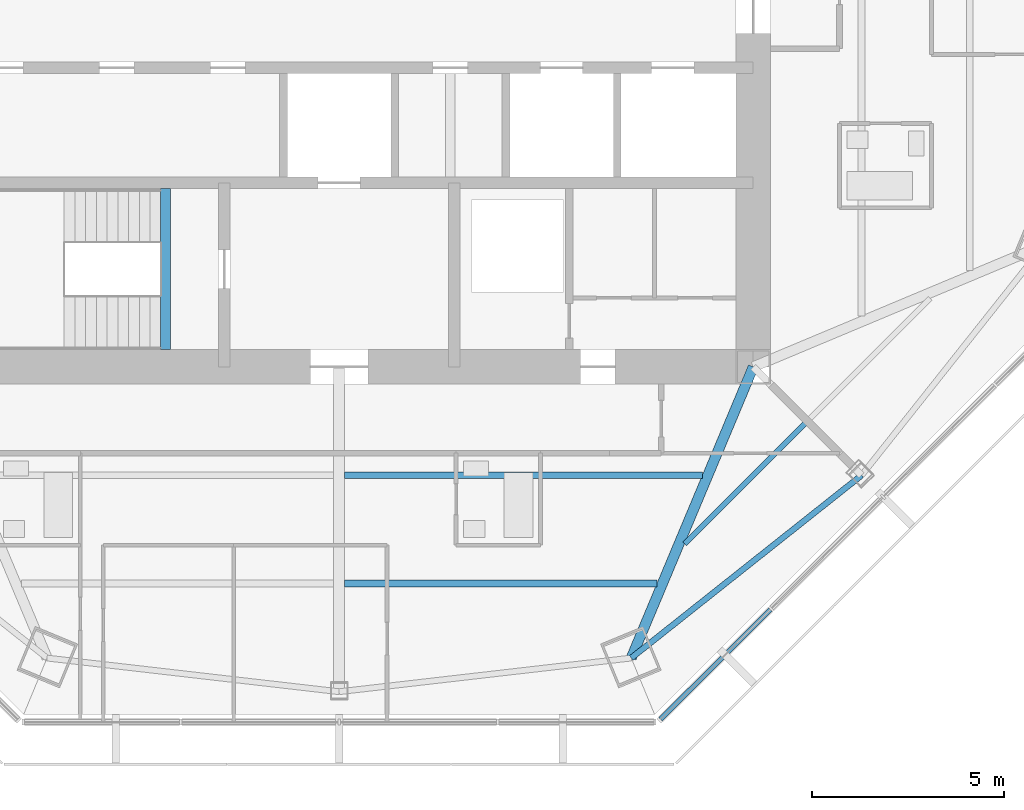
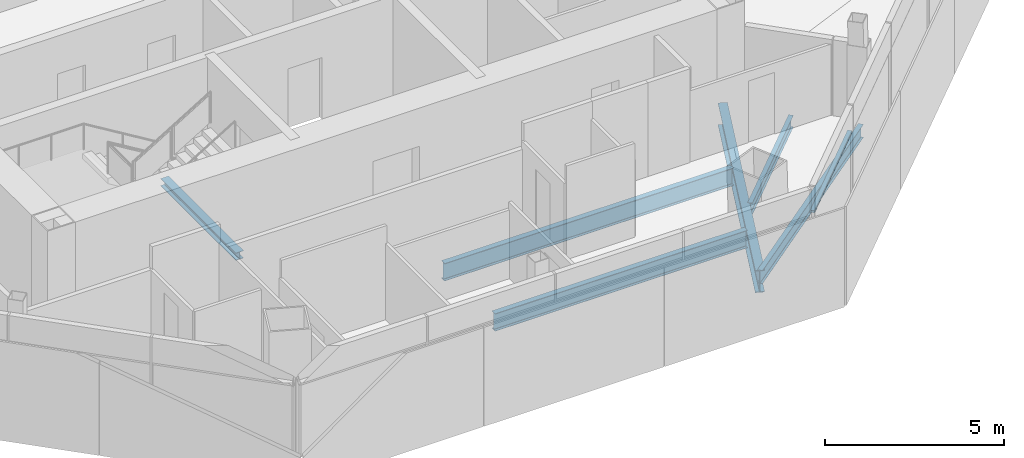
# One storey, part 3 of 15: 6 beams, 1 member, 1 element without a shape of its own.
"""IFC4 building model written with IfcOpenShell, lengths in metres."""

from ifc_helpers import new_model, si_unit, direction, frame, origin, origin_2d, place, context, subcontext, project, spatial, rectangle, i_section, extrude, source, transform, mapped, material, material_profile, profile_set, type_object, type_shapes, element, aggregate, save


model = new_model("IFC4")

# Units and contexts
model_context = context("Model", 3, precision=1e-05, world=origin(), true_north=direction((0.0, 1.0)))
body_context = subcontext(model_context, "Body", "Model", "MODEL_VIEW")
ifc_project = project(units=[si_unit("LENGTHUNIT", "METRE"), si_unit("AREAUNIT", "SQUARE_METRE"), si_unit("VOLUMEUNIT", "CUBIC_METRE"), si_unit("PLANEANGLEUNIT", "RADIAN"), si_unit("MASSUNIT", "GRAM", prefix="KILO")], contexts=[model_context])

# Site, building, storey
site_placement = place(None, origin())
site = spatial("IfcSite", under=ifc_project, at=site_placement, CompositionType="ELEMENT")
building_placement = place(site_placement, origin())
building = spatial("IfcBuilding", under=site, at=building_placement, Name="Mashrafa Tower", CompositionType="ELEMENT")
storey_placement = place(building_placement, frame((0.0, 0.0, 281.0)))
storey = spatial("IfcBuildingStorey", under=building, at=storey_placement, Name="L68", CompositionType="ELEMENT", Elevation=281.0)

# Beams
ifc_material_1 = material(Name="Steel ASTM A992", Category="steel")
ifc_material_profile_1 = material_profile(ifc_material_1, i_section(OverallWidth=0.140380859375, OverallDepth=0.40380859375, WebThickness=0.007080078125, FlangeThickness=0.01123046875, FilletRadius=0.01025390625, at=origin_2d()), Name="W16X31")
ifc_profile_set_1 = profile_set([ifc_material_profile_1], Name="Steel ASTM A992")
beam_type_1 = type_object("IfcBeamType", Name="Beam W16X31", PredefinedType="BEAM", material=ifc_profile_set_1)
beam_1_placement = place(storey_placement, frame((12.150390625, -12.276611328125, -0.40185546875), z_axis=(-0.707106781187, -0.707106781187, 0.0), x_axis=(0.707106781187, -0.707106781187, 0.0)))
element("IfcBeam", 1, at=beam_1_placement, inside=storey, type_object=beam_type_1, Name="Floor beam L68 018", PredefinedType="BEAM", context=body_context, shape_type="SweptSolid", body=[
    extrude(i_section(OverallWidth=0.140380859375, OverallDepth=0.40380859375, WebThickness=0.007080078125, FlangeThickness=0.01123046875, FilletRadius=0.01025390625, at=origin_2d()), origin(), (0.0, 0.0, 1.0), 4.4404296875),
])
ifc_material_2 = material(Name="Steel ASTM A992", Category="steel")
ifc_material_profile_2 = material_profile(ifc_material_2, i_section(OverallWidth=0.15234375, OverallDepth=0.449462890625, WebThickness=0.007568359375, FlangeThickness=0.0107421875, FilletRadius=0.01025390625, at=origin_2d()), Name="W18X35")
ifc_profile_set_2 = profile_set([ifc_material_profile_2], Name="Steel ASTM A992")
beam_type_2 = type_object("IfcBeamType", Name="Beam W18X35", PredefinedType="BEAM", material=ifc_profile_set_2)
beam_2_placement = place(storey_placement, frame((7.61865234375, -18.39306640625, -0.4248046875), z_axis=(0.783439955868, 0.621467485512, 0.0), x_axis=(-0.621467485512, 0.783439955868, 0.0)))
element("IfcBeam", 2, at=beam_2_placement, inside=storey, type_object=beam_type_2, Name="Spandrel beam L68 050", PredefinedType="BEAM", context=body_context, shape_type="SweptSolid", body=[
    extrude(i_section(OverallWidth=0.15234375, OverallDepth=0.449462890625, WebThickness=0.007568359375, FlangeThickness=0.0107421875, FilletRadius=0.01025390625, at=origin_2d()), origin(), (0.0, 0.0, 1.0), 7.669189453125),
])
ifc_material_3 = material(Name="Steel ASTM A992", Category="steel")
ifc_material_profile_3 = material_profile(ifc_material_3, i_section(OverallWidth=0.177978515625, OverallDepth=0.599365234375, WebThickness=0.010009765625, FlangeThickness=0.012939453125, FilletRadius=0.012939453125, at=origin_2d()), Name="W24X55")
ifc_profile_set_3 = profile_set([ifc_material_profile_3], Name="Steel ASTM A992")
beam_type_3 = type_object("IfcBeamType", Name="Beam W24X55", PredefinedType="BEAM", material=ifc_profile_set_3)
beam_3_placement = place(storey_placement, frame((8.289306640625, -16.447509765625, -0.499755859375), z_axis=(-1.0, 0.0, 0.0), x_axis=(0.0, -1.0, 0.0)))
element("IfcBeam", 3, at=beam_3_placement, inside=storey, type_object=beam_type_3, Name="Floor beam L68 015", PredefinedType="BEAM", context=body_context, shape_type="SweptSolid", body=[
    extrude(i_section(OverallWidth=0.177978515625, OverallDepth=0.599365234375, WebThickness=0.010009765625, FlangeThickness=0.012939453125, FilletRadius=0.012939453125, at=origin_2d()), origin(), (0.0, 0.0, 1.0), 8.143310546875),
])
beam_4_placement = place(storey_placement, frame((9.472412109375, -13.623779296875, -0.499755859375), z_axis=(-1.0, 0.0, 0.0), x_axis=(0.0, -1.0, 0.0)))
element("IfcBeam", 4, at=beam_4_placement, inside=storey, type_object=beam_type_3, Name="Floor beam L68 017", PredefinedType="BEAM", context=body_context, shape_type="SweptSolid", body=[
    extrude(i_section(OverallWidth=0.177978515625, OverallDepth=0.599365234375, WebThickness=0.010009765625, FlangeThickness=0.012939453125, FilletRadius=0.012939453125, at=origin_2d()), origin(), (0.0, 0.0, 1.0), 9.326416015625),
])
ifc_material_4 = material(Name="Steel ASTM A992", Category="steel")
ifc_material_profile_4 = material_profile(ifc_material_4, i_section(OverallWidth=0.2666015625, OverallDepth=0.761962890625, WebThickness=0.014404296875, FlangeThickness=0.021484375, FilletRadius=0.0166015625, at=origin_2d()), Name="W30X116")
ifc_profile_set_4 = profile_set([ifc_material_profile_4], Name="Steel ASTM A992")
beam_type_4 = type_object("IfcBeamType", Name="Beam W30X116", PredefinedType="BEAM", material=ifc_profile_set_4)
beam_5_placement = place(storey_placement, frame((10.800048828125, -10.800048828125, -0.5810546875), z_axis=(-0.386440285597, -0.922314428851, 0.0), x_axis=(0.922314428851, -0.386440285597, 0.0)))
element("IfcBeam", 5, at=beam_5_placement, inside=storey, type_object=beam_type_4, Name="Radial girder L68 034", PredefinedType="BEAM", context=body_context, shape_type="SweptSolid", body=[
    extrude(i_section(OverallWidth=0.2666015625, OverallDepth=0.761962890625, WebThickness=0.014404296875, FlangeThickness=0.021484375, FilletRadius=0.0166015625, at=origin_2d()), origin(), (0.0, 0.0, 1.0), 8.232666015625),
])
ifc_material_5 = material(Name="Steel ASTM A992", Category="steel")
ifc_material_profile_5 = material_profile(ifc_material_5, i_section(OverallWidth=0.25390625, OverallDepth=0.25390625, WebThickness=0.008544921875, FlangeThickness=0.01416015625, FilletRadius=0.010009765625, at=origin_2d()), Name="W10X49")
ifc_profile_set_5 = profile_set([ifc_material_profile_5], Name="Steel ASTM A992")
beam_type_5 = type_object("IfcBeamType", Name="Hoistway beam W10X49", PredefinedType="BEAM", material=ifc_profile_set_5)
beam_6_placement = place(storey_placement, frame((-4.530029296875, -10.35009765625, -0.326904296875), z_axis=(0.0, 1.0, 0.0), x_axis=(-1.0, 0.0, 0.0)))
element("IfcBeam", 6, at=beam_6_placement, inside=storey, type_object=beam_type_5, Name="Stair S3 landing beam L68", PredefinedType="BEAM", context=body_context, shape_type="SweptSolid", body=[
    extrude(i_section(OverallWidth=0.25390625, OverallDepth=0.25390625, WebThickness=0.008544921875, FlangeThickness=0.01416015625, FilletRadius=0.010009765625, at=origin_2d()), origin(), (0.0, 0.0, 1.0), 4.2001953125),
])

# Curtain wall, member
ifc_material_6 = material(Name="Unitised aluminium curtain wall", Category="aluminium")
curtain_wall_type = type_object("IfcCurtainWallType", Name="Apartment curtain wall, zone 4 CW-D 160 deep", PredefinedType="NOTDEFINED", material=ifc_material_6)
curtain_wall_placement = place(storey_placement, origin())
curtain_wall = element("IfcCurtainWall", 7, at=curtain_wall_placement, inside=storey, type_object=curtain_wall_type, Name="Apartment curtain wall, zone 4 L68 south-east", PredefinedType="NOTDEFINED")
ifc_material_7 = material(Name="Extruded aluminium transom", Category="aluminium")
ifc_material_profile_6 = material_profile(ifc_material_7, rectangle(XDim=0.1279296875, YDim=0.074951171875, at=origin_2d()), Name="Transom 75x128")
ifc_profile_set_6 = profile_set([ifc_material_profile_6], Name="Extruded aluminium transom")
member_type = type_object("IfcMemberType", Name="Transom CW-D 75 x 128", PredefinedType="MULLION", material=ifc_profile_set_6)
shared_shape = source(origin(), body_context, "Body", "SweptSolid", [
    extrude(rectangle(XDim=0.1279296875, YDim=0.074951171875, at=origin_2d()), origin(), (0.0, 0.0, 1.0), 4.044189453125),
])
type_shapes(member_type, [shared_shape])
member_placement = place(storey_placement, frame((8.38427734375, -19.99267578125, 2.5), z_axis=(0.707136963954, 0.707076597131, 0.0), x_axis=(-0.707076597131, 0.707136963954, 0.0)))
member = element("IfcMember", 8, at=member_placement, type_object=member_type, Name="CW-D transom 1", PredefinedType="MULLION", context=body_context, shape_type="MappedRepresentation", body=[
    mapped(shared_shape, transform((0.0, 0.0, 0.0))),
])
aggregate(curtain_wall, [member])

save(model, "model.ifc")
